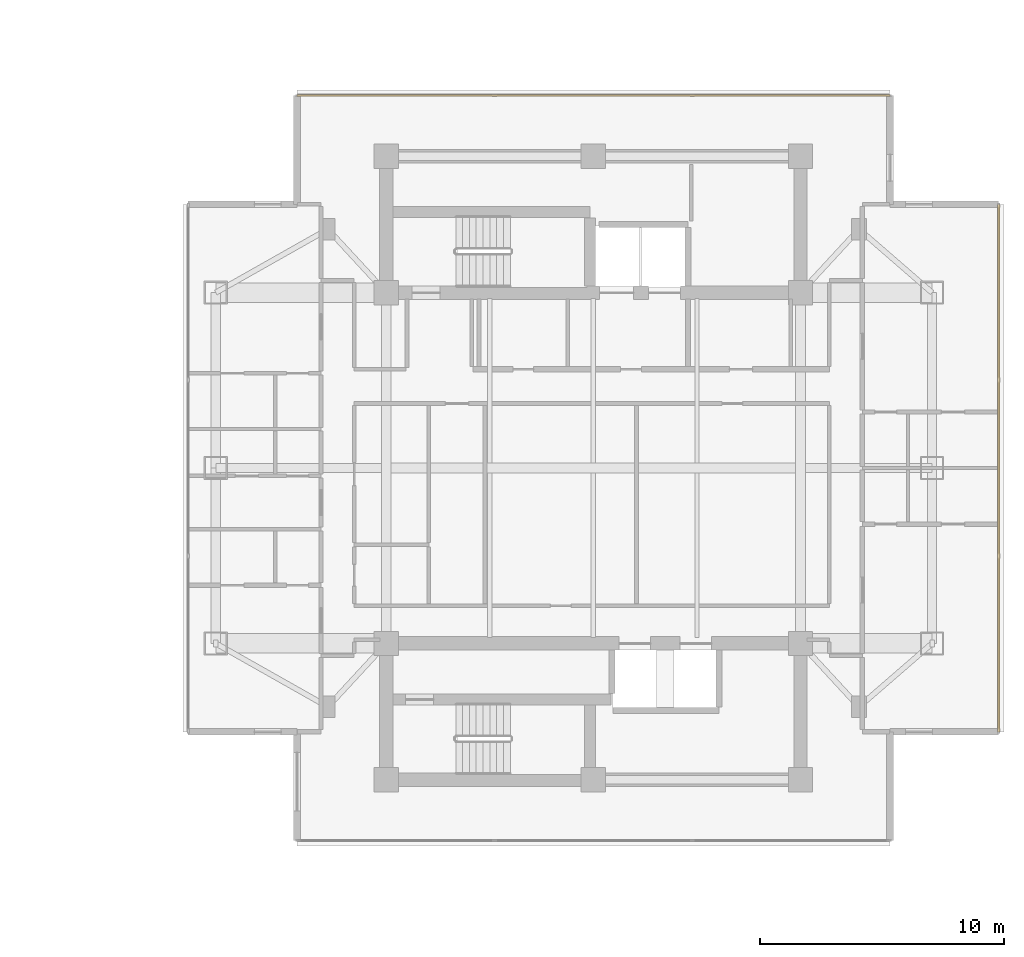
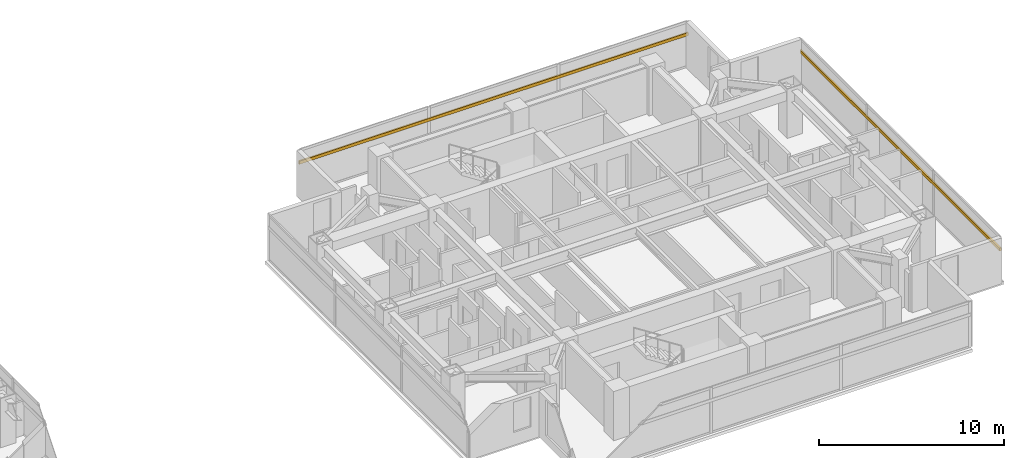
# One storey, part 24 of 24: 2 shading devices.
"""IFC4 building model written with IfcOpenShell, lengths in metres."""

from ifc_helpers import new_model, si_unit, direction, frame, origin, origin_2d, place, context, subcontext, project, spatial, rectangle, extrude, material, material_profile, profile_set, type_object, element, save


model = new_model("IFC4")

# Units and contexts
model_context = context("Model", 3, precision=1e-05, world=origin(), true_north=direction((0.0, 1.0)))
body_context = subcontext(model_context, "Body", "Model", "MODEL_VIEW")
ifc_project = project(units=[si_unit("LENGTHUNIT", "METRE"), si_unit("AREAUNIT", "SQUARE_METRE"), si_unit("VOLUMEUNIT", "CUBIC_METRE"), si_unit("PLANEANGLEUNIT", "RADIAN"), si_unit("MASSUNIT", "GRAM", prefix="KILO")], contexts=[model_context])

# Site, building, storey
site_placement = place(None, origin())
site = spatial("IfcSite", under=ifc_project, at=site_placement, CompositionType="ELEMENT")
building_placement = place(site_placement, origin())
building = spatial("IfcBuilding", under=site, at=building_placement, Name="Mirazonda Arch Towers", CompositionType="ELEMENT")
storey_placement = place(building_placement, frame((0.0, 0.0, 154.39990234375)))
storey = spatial("IfcBuildingStorey", under=building, at=storey_placement, Name="L43", CompositionType="ELEMENT", Elevation=154.39990234375)

# Shading devices
ifc_material = material(Name="Kiln-Fired Architectural Terracotta", Category="masonry")
ifc_material_profile = material_profile(ifc_material, rectangle(XDim=0.10009765625, YDim=0.199951171875, at=origin_2d()), Name="TERRA-BAG-100x200")
ifc_profile_set = profile_set([ifc_material_profile], Name="Kiln-Fired Architectural Terracotta")
shading_device_type = type_object("IfcShadingDeviceType", Name="BAGUETTE-2", PredefinedType="USERDEFINED", material=ifc_profile_set)
shading_device_1_placement = place(storey_placement, frame((93.132568359375, 17.173583984375, 2.181640625), z_axis=(0.0, 1.0, 0.0), x_axis=(-1.0, 0.0, 0.0)))
element("IfcShadingDevice", 1, at=shading_device_1_placement, inside=storey, type_object=shading_device_type, Name="L43 Glazed Terracotta Sun-Screen Baguette CW-L43-T2-E", ObjectType="BAGUETTE", PredefinedType="USERDEFINED", context=body_context, shape_type="SweptSolid", body=[
    extrude(rectangle(XDim=0.10009765625, YDim=0.199951171875, at=origin_2d()), origin(), (0.0, 0.0, 1.0), 21.65283203125),
])
shading_device_2_placement = place(storey_placement, frame((64.332763671875, 43.29150390625, 2.181640625), z_axis=(1.0, 0.0, 0.0), x_axis=(0.0, 1.0, 0.0)))
element("IfcShadingDevice", 2, at=shading_device_2_placement, inside=storey, type_object=shading_device_type, Name="L43 Glazed Terracotta Sun-Screen Baguette CW-L43-T2-N", ObjectType="BAGUETTE", PredefinedType="USERDEFINED", context=body_context, shape_type="SweptSolid", body=[
    extrude(rectangle(XDim=0.10009765625, YDim=0.199951171875, at=origin_2d()), origin(), (0.0, 0.0, 1.0), 24.33447265625),
])

save(model, "model.ifc")
